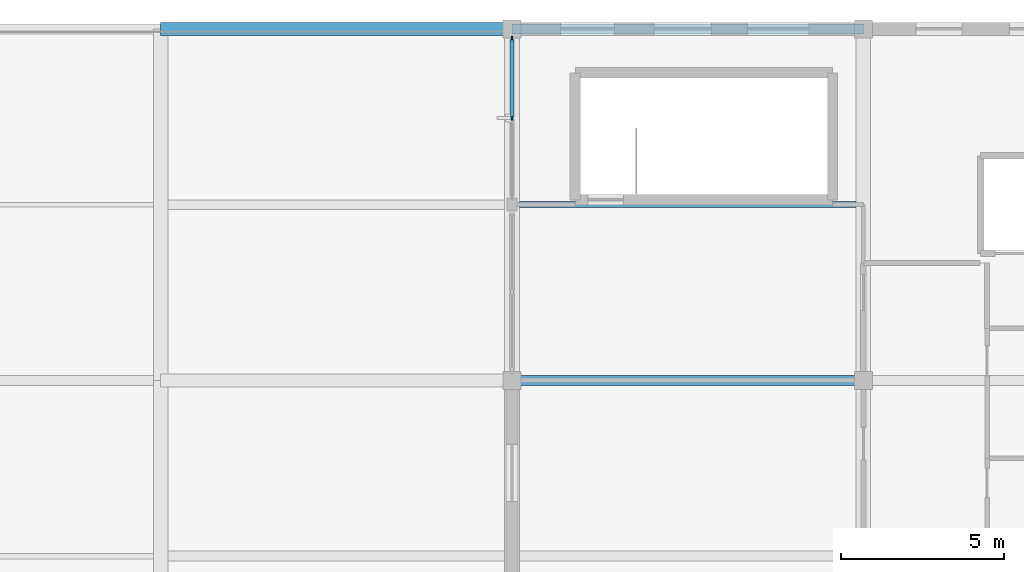
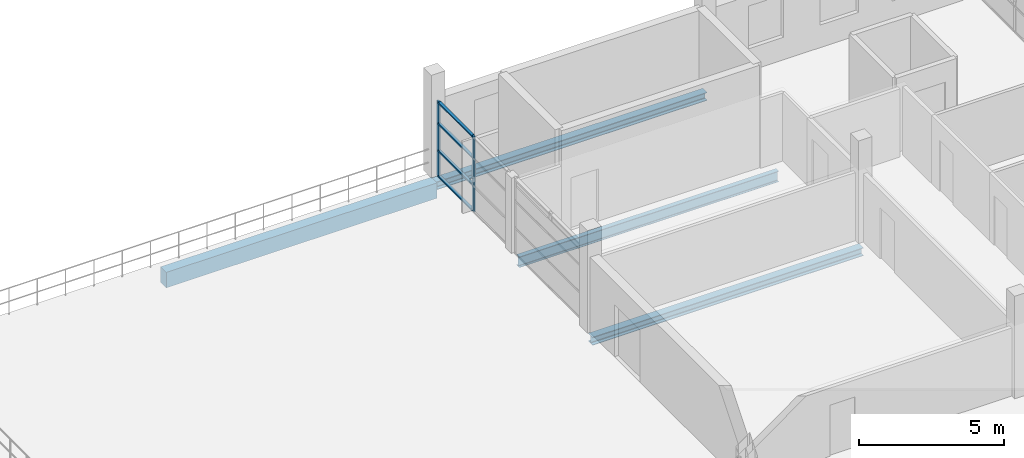
# One storey, part 8 of 15: 6 members, 4 beams, 1 element without a shape of its own.
"""IFC4 building model written with IfcOpenShell, lengths in metres."""

import ifcopenshell
import ifcopenshell.guid

model = None  # the IFC model being written
_history = None  # IfcOwnerHistory: only IFC2X3 demands one
_inside = {}  # id of a spatial element -> (the spatial element, [elements in it])
_under = {}  # id of a project, library or spatial element -> (it, [spatial elements below it])
_declared = {}  # id of a project -> (the project, [libraries it declares])
_typed = {}  # id of a type object -> (the type object, [elements of that type])
_made_of = {}  # id of a material, layer set ... -> (it, [elements and type objects made of it])


def new_model(schema):
    """Start an empty IFC model of exactly this schema.

    Asked for "IFC4X3", IfcOpenShell would pick the latest addendum, in which some entities
    have other attributes; the version numbers below select the first issue.
    IFC2X3 requires an IfcOwnerHistory on every rooted entity: one is made here for all.
    """
    global model, _history
    if schema == "IFC4X3":
        model = ifcopenshell.file(schema_version=(4, 3, 0, 0))
    else:
        model = ifcopenshell.file(schema=schema)
    _inside.clear()
    _under.clear()
    _declared.clear()
    _typed.clear()
    _made_of.clear()
    _history = None
    if model.schema == "IFC2X3":
        org = make("IfcOrganization", Name="unknown")
        user = make(
            "IfcPersonAndOrganization",
            ThePerson=make("IfcPerson", FamilyName="unknown"),
            TheOrganization=org,
        )
        app = make(
            "IfcApplication",
            ApplicationDeveloper=org,
            Version="unknown",
            ApplicationFullName="unknown",
            ApplicationIdentifier="unknown",
        )
        _history = make(
            "IfcOwnerHistory",
            OwningUser=user,
            OwningApplication=app,
            ChangeAction="ADDED",
            CreationDate=0,
        )
    return model


def make(cls, **values):
    """One entity of the class cls with the attributes given. An attribute that is None is left unset."""
    return model.create_entity(
        cls, **{name: value for name, value in values.items() if value is not None}
    )


def rooted(cls, **values):
    """An entity with a GlobalId (a new one), such as an element, a storey or a relation."""
    return make(cls, GlobalId=ifcopenshell.guid.new(), OwnerHistory=_history, **values)


def si_unit(unit_type, name, prefix=None):
    """IfcSIUnit, for example si_unit("LENGTHUNIT", "METRE", prefix="MILLI")."""
    return make("IfcSIUnit", UnitType=unit_type, Prefix=prefix, Name=name)


def assignment(units):
    """IfcUnitAssignment: the units of a project."""
    return None if units is None else make("IfcUnitAssignment", Units=units)


def point(xyz):
    """IfcCartesianPoint."""
    return None if xyz is None else make("IfcCartesianPoint", Coordinates=xyz)


def direction(xyz):
    """IfcDirection."""
    return None if xyz is None else make("IfcDirection", DirectionRatios=xyz)


def frame(location, z_axis=None, x_axis=None):
    """IfcAxis2Placement3D, a coordinate frame: its origin and axes. An axis left out is left unset."""
    return make(
        "IfcAxis2Placement3D",
        Location=point(location),
        Axis=direction(z_axis),
        RefDirection=direction(x_axis),
    )


def frame_2d(location, x_axis=None):
    """IfcAxis2Placement2D, a coordinate frame in the plane: its origin and x axis."""
    return make(
        "IfcAxis2Placement2D", Location=point(location), RefDirection=direction(x_axis)
    )


def origin():
    """The frame at (0, 0, 0) with its axes left unset."""
    return frame((0.0, 0.0, 0.0))


def origin_2d():
    """The frame at (0, 0) in the plane with its x axis left unset."""
    return frame_2d((0.0, 0.0))


def place(relative_to, where):
    """IfcLocalPlacement: puts the frame where relative to a parent placement (None: the world)."""
    return make(
        "IfcLocalPlacement", PlacementRelTo=relative_to, RelativePlacement=where
    )


def context(
    kind, dimensions, precision=None, world=None, true_north=None, identifier=None
):
    """IfcGeometricRepresentationContext, for example the 3D "Model" context."""
    return make(
        "IfcGeometricRepresentationContext",
        ContextIdentifier=identifier,
        ContextType=kind,
        CoordinateSpaceDimension=dimensions,
        Precision=precision,
        WorldCoordinateSystem=world,
        TrueNorth=true_north,
    )


def subcontext(parent, identifier, kind, view, scale=None):
    """IfcGeometricRepresentationSubContext, for example "Body" below "Model"."""
    return make(
        "IfcGeometricRepresentationSubContext",
        ContextIdentifier=identifier,
        ContextType=kind,
        ParentContext=parent,
        TargetScale=scale,
        TargetView=view,
    )


def project(units=None, contexts=None):
    """IfcProject with its units and contexts."""
    return rooted(
        "IfcProject",
        Name="project",
        RepresentationContexts=contexts,
        UnitsInContext=assignment(units),
    )


def spatial(cls, under=None, at=None, **own):
    """A site, building, storey or space (cls), placed at a placement, below another one or the project."""
    s = rooted(cls, ObjectPlacement=at, **own)
    if under is not None:
        _under.setdefault(under.id(), (under, []))[1].append(s)
    return s


def profile(cls, at=None, kind="AREA", **sizes):
    """A parametric profile (cls). Its sizes go by their IFC names, for example OverallWidth=200.0."""
    return make(cls, ProfileType=kind, Position=at, **sizes)


def rectangle(**sizes):
    """IfcRectangleProfileDef."""
    return profile("IfcRectangleProfileDef", **sizes)


def i_section(**sizes):
    """IfcIShapeProfileDef."""
    return profile("IfcIShapeProfileDef", **sizes)


def extrude(swept, where, along, depth):
    """IfcExtrudedAreaSolid: the profile swept, set in the frame where, extruded along a direction by depth."""
    return make(
        "IfcExtrudedAreaSolid",
        SweptArea=swept,
        Position=where,
        ExtrudedDirection=direction(along),
        Depth=depth,
    )


def shape(context_of_items, identifier, shape_type, items):
    """IfcShapeRepresentation: the items that make up one representation, for example the "Body"."""
    return make(
        "IfcShapeRepresentation",
        ContextOfItems=context_of_items,
        RepresentationIdentifier=identifier,
        RepresentationType=shape_type,
        Items=items,
    )


def material(Name=None, Category=None):
    """IfcMaterial."""
    return make("IfcMaterial", Name=Name, Category=Category)


def material_profile(
    of_material, cross_section, Name=None, Category=None, Priority=None
):
    """IfcMaterialProfile: a cross section and its material."""
    return make(
        "IfcMaterialProfile",
        Name=Name,
        Material=of_material,
        Profile=cross_section,
        Priority=Priority,
        Category=Category,
    )


def profile_set(profiles, Name=None, composite=None):
    """IfcMaterialProfileSet."""
    return make(
        "IfcMaterialProfileSet",
        Name=Name,
        MaterialProfiles=profiles,
        CompositeProfile=composite,
    )


def made_of(thing, what):
    """Note that an element or type object is made of a material, layer set ...; save() writes the relation."""
    if what is not None:
        _made_of.setdefault(what.id(), (what, []))[1].append(thing)
    return thing


def type_object(cls, material=None, **own):
    """A type object (cls), such as IfcWallType, which elements share."""
    return made_of(rooted(cls, **own), material)


def element(
    cls,
    number,
    at=None,
    inside=None,
    cuts=None,
    type_object=None,
    material=None,
    context=None,
    identifier="Body",
    shape_type=None,
    held_by="IfcProductDefinitionShape",
    body=None,
    shapes=None,
    **own,
):
    """One element of the class cls, such as IfcWall. Its Tag is "e" and its number.

    at: its placement. inside: the storey or other place that contains it. cuts: it is an
    opening in that element (IfcRelVoidsElement). A single representation is given by context,
    identifier, shape_type and body (its items); several are given by shapes. held_by: the class
    of the entity that holds the representations. save() writes the other relations.
    """
    e = rooted(cls, Tag="e%d" % number, ObjectPlacement=at, **own)
    if body is not None:
        shapes = [shape(context, identifier, shape_type, body)]
    if shapes is not None:
        e.Representation = make(held_by, Representations=shapes)
    if inside is not None:
        _inside.setdefault(inside.id(), (inside, []))[1].append(e)
    if cuts is not None:
        rooted(
            "IfcRelVoidsElement", RelatingBuildingElement=cuts, RelatedOpeningElement=e
        )
    if type_object is not None:
        _typed.setdefault(type_object.id(), (type_object, []))[1].append(e)
    return made_of(e, material)


def aggregate(whole, parts):
    """IfcRelAggregates: a whole, such as a stair, and the parts it consists of."""
    return rooted("IfcRelAggregates", RelatingObject=whole, RelatedObjects=parts)


def save(model, path):
    """Write the relations noted so far, then the file.

    IfcRelAggregates (storeys below a building ...), IfcRelContainedInSpatialStructure (elements
    in a storey), IfcRelDefinesByType, IfcRelAssociatesMaterial and IfcRelDeclares: one each for
    every whole, place, type object, material and project.
    """
    for whole, parts in _under.values():
        aggregate(whole, parts)
    for where, things in _inside.values():
        rooted(
            "IfcRelContainedInSpatialStructure",
            RelatedElements=things,
            RelatingStructure=where,
        )
    for kind, things in _typed.values():
        rooted("IfcRelDefinesByType", RelatedObjects=things, RelatingType=kind)
    for what, things in _made_of.values():
        rooted("IfcRelAssociatesMaterial", RelatedObjects=things, RelatingMaterial=what)
    for by, libraries in _declared.values():
        rooted("IfcRelDeclares", RelatingContext=by, RelatedDefinitions=libraries)
    model.write(path)


model = new_model("IFC4")

# Units and contexts
model_context = context("Model", 3, precision=1e-05, world=origin(), true_north=direction((0.0, 1.0)))
body_context = subcontext(model_context, "Body", "Model", "MODEL_VIEW")
ifc_project = project(units=[si_unit("LENGTHUNIT", "METRE"), si_unit("AREAUNIT", "SQUARE_METRE"), si_unit("VOLUMEUNIT", "CUBIC_METRE"), si_unit("PLANEANGLEUNIT", "RADIAN"), si_unit("MASSUNIT", "GRAM", prefix="KILO")], contexts=[model_context])

# Site, building, storey
site_placement = place(None, origin())
site = spatial("IfcSite", under=ifc_project, at=site_placement, CompositionType="ELEMENT")
building_placement = place(site_placement, origin())
building = spatial("IfcBuilding", under=site, at=building_placement, Name="Zwinboog Wholesale Market", CompositionType="ELEMENT")
storey_placement = place(building_placement, frame((0.0, 0.0, 14.760009765625)))
storey = spatial("IfcBuildingStorey", under=building, at=storey_placement, Name="L03", CompositionType="ELEMENT", Elevation=14.760009765625)

# Beams
ifc_material_1 = material(Name="Precast concrete C45/55", Category="concrete")
ifc_material_profile_1 = material_profile(ifc_material_1, rectangle(XDim=0.39990234375, YDim=0.64990234375, at=origin_2d()), Name="PC 400x650")
ifc_profile_set_1 = profile_set([ifc_material_profile_1], Name="Precast concrete C45/55")
beam_type_1 = type_object("IfcBeamType", Name="BT-05", PredefinedType="BEAM", material=ifc_profile_set_1)
beam_1_placement = place(storey_placement, frame((140.39990234375, 43.199951171875, -0.673095703125), z_axis=(1.0, 0.0, 0.0), x_axis=(0.0, 1.0, 0.0)))
element("IfcBeam", 1, at=beam_1_placement, inside=storey, type_object=beam_type_1, Name="BG-05 (BM-TER-L03-0212)", PredefinedType="BEAM", context=body_context, shape_type="SweptSolid", body=[
    extrude(rectangle(XDim=0.39990234375, YDim=0.64990234375, at=origin_2d()), origin(), (0.0, 0.0, 1.0), 10.800048828125),
])
ifc_material_2 = material(Name="Steel S355", Category="steel")
ifc_material_profile_2 = material_profile(ifc_material_2, i_section(OverallWidth=0.300048828125, OverallDepth=0.340087890625, WebThickness=0.011962890625, FlangeThickness=0.021484375, FilletRadius=0.027099609375, at=origin_2d()), Name="HEB 340")
ifc_profile_set_2 = profile_set([ifc_material_profile_2], Name="Steel S355")
beam_type_2 = type_object("IfcBeamType", Name="BT-16", PredefinedType="BEAM", material=ifc_profile_set_2)
for number, where, z_axis, x_axis, name in (
    (2, (151.199951171875, 32.39990234375, -0.51806640625), (1.0, 0.0, 0.0), (0.0, 1.0, 0.0), "SB-03 (BMG-L03-1512-0324-1021)"),
    (3, (151.199951171875, 43.199951171875, -0.51806640625), (1.0, 0.0, 0.0), (0.0, 1.0, 0.0), "SB-03 (BMG-L03-1512-0432-1023)"),
):
    element("IfcBeam", number, at=place(storey_placement, frame(where, z_axis=z_axis, x_axis=x_axis)), inside=storey, type_object=beam_type_2, Name=name, PredefinedType="BEAM", context=body_context, shape_type="SweptSolid", body=[
        extrude(i_section(OverallWidth=0.300048828125, OverallDepth=0.340087890625, WebThickness=0.011962890625, FlangeThickness=0.021484375, FilletRadius=0.027099609375, at=origin_2d()), origin(), (0.0, 0.0, 1.0), 10.800048828125),
    ])
ifc_material_profile_3 = material_profile(ifc_material_2, i_section(OverallWidth=0.18994140625, OverallDepth=0.449951171875, WebThickness=0.009521484375, FlangeThickness=0.0146484375, FilletRadius=0.02099609375, at=origin_2d()), Name="IPE 450")
ifc_profile_set_3 = profile_set([ifc_material_profile_3], Name="Steel S355")
beam_type_3 = type_object("IfcBeamType", Name="BT-19", PredefinedType="JOIST", material=ifc_profile_set_3)
beam_2_placement = place(storey_placement, frame((151.425048828125, 37.800048828125, -0.572998046875), z_axis=(1.0, 0.0, 0.0), x_axis=(0.0, 1.0, 0.0)))
element("IfcBeam", 4, at=beam_2_placement, inside=storey, type_object=beam_type_3, Name="SJ-02 (BMG-L03-1514-0378-1049)", PredefinedType="JOIST", context=body_context, shape_type="SweptSolid", body=[
    extrude(i_section(OverallWidth=0.18994140625, OverallDepth=0.449951171875, WebThickness=0.009521484375, FlangeThickness=0.0146484375, FilletRadius=0.02099609375, at=origin_2d()), origin(), (0.0, 0.0, 1.0), 10.349853515625),
])

# Curtain wall, members
ifc_material_3 = material(Name="Aluminium thermally broken curtain wall", Category="aluminium")
curtain_wall_type = type_object("IfcCurtainWallType", Name="CWT-OFF-15", PredefinedType="USERDEFINED", material=ifc_material_3)
curtain_wall_placement = place(storey_placement, origin())
curtain_wall = element("IfcCurtainWall", 5, at=curtain_wall_placement, inside=storey, type_object=curtain_wall_type, Name="CW-06 (CW-L03-174)", ObjectType="UNITIZED_CURTAIN_WALL", PredefinedType="USERDEFINED")
ifc_material_4 = material(Name="Aluminium EN AW-6060", Category="aluminium")
ifc_material_profile_4 = material_profile(ifc_material_4, rectangle(XDim=0.06005859375, YDim=0.14990234375, at=origin_2d()), Name="AL 60x150")
ifc_profile_set_4 = profile_set([ifc_material_profile_4], Name="Aluminium EN AW-6060")
member_type_1 = type_object("IfcMemberType", Name="CWM-60x150", PredefinedType="MULLION", material=ifc_profile_set_4)
member_1_placement = place(storey_placement, frame((151.199951171875, 40.465087890625, 0.0), z_axis=(0.0, 0.0, 1.0), x_axis=(-1.0, 0.0, 0.0)))
member_1 = element("IfcMember", 6, at=member_1_placement, type_object=member_type_1, Name="CW-06 mullion 2", PredefinedType="MULLION", context=body_context, shape_type="SweptSolid", body=[
    extrude(rectangle(XDim=0.06005859375, YDim=0.14990234375, at=origin_2d()), origin(), (0.0, 0.0, 1.0), 3.169921875),
])
member_2_placement = place(storey_placement, frame((151.199951171875, 42.89990234375, 0.0), z_axis=(0.0, 0.0, 1.0), x_axis=(-1.0, 0.0, 0.0)))
member_2 = element("IfcMember", 7, at=member_2_placement, type_object=member_type_1, Name="CW-06 mullion 3", PredefinedType="MULLION", context=body_context, shape_type="SweptSolid", body=[
    extrude(rectangle(XDim=0.06005859375, YDim=0.14990234375, at=origin_2d()), origin(), (0.0, 0.0, 1.0), 3.169921875),
])
ifc_material_profile_5 = material_profile(ifc_material_4, rectangle(XDim=0.110107421875, YDim=0.06005859375, at=origin_2d()), Name="AL 60x110")
ifc_profile_set_5 = profile_set([ifc_material_profile_5], Name="Aluminium EN AW-6060")
member_type_2 = type_object("IfcMemberType", Name="CWT-60x110", PredefinedType="USERDEFINED", material=ifc_profile_set_5)
member_3_placement = place(storey_placement, frame((151.199951171875, 40.4951171875, 0.030029296875), z_axis=(0.0, 1.0, 0.0), x_axis=(-1.0, 0.0, 0.0)))
member_3 = element("IfcMember", 8, at=member_3_placement, type_object=member_type_2, Name="CW-06 transom 2.1", ObjectType="TRANSOM", PredefinedType="USERDEFINED", context=body_context, shape_type="SweptSolid", body=[
    extrude(rectangle(XDim=0.110107421875, YDim=0.06005859375, at=origin_2d()), origin(), (0.0, 0.0, 1.0), 2.375),
])
member_4_placement = place(storey_placement, frame((151.199951171875, 40.4951171875, 1.10009765625), z_axis=(0.0, 1.0, 0.0), x_axis=(-1.0, 0.0, 0.0)))
member_4 = element("IfcMember", 9, at=member_4_placement, type_object=member_type_2, Name="CW-06 transom 2.2", ObjectType="TRANSOM", PredefinedType="USERDEFINED", context=body_context, shape_type="SweptSolid", body=[
    extrude(rectangle(XDim=0.110107421875, YDim=0.06005859375, at=origin_2d()), origin(), (0.0, 0.0, 1.0), 2.375),
])
member_5_placement = place(storey_placement, frame((151.199951171875, 40.4951171875, 2.25), z_axis=(0.0, 1.0, 0.0), x_axis=(-1.0, 0.0, 0.0)))
member_5 = element("IfcMember", 10, at=member_5_placement, type_object=member_type_2, Name="CW-06 transom 2.3", ObjectType="TRANSOM", PredefinedType="USERDEFINED", context=body_context, shape_type="SweptSolid", body=[
    extrude(rectangle(XDim=0.110107421875, YDim=0.06005859375, at=origin_2d()), origin(), (0.0, 0.0, 1.0), 2.375),
])
member_6_placement = place(storey_placement, frame((151.199951171875, 40.4951171875, 3.139892578125), z_axis=(0.0, 1.0, 0.0), x_axis=(-1.0, 0.0, 0.0)))
member_6 = element("IfcMember", 11, at=member_6_placement, type_object=member_type_2, Name="CW-06 transom 2.4", ObjectType="TRANSOM", PredefinedType="USERDEFINED", context=body_context, shape_type="SweptSolid", body=[
    extrude(rectangle(XDim=0.110107421875, YDim=0.06005859375, at=origin_2d()), origin(), (0.0, 0.0, 1.0), 2.375),
])
aggregate(curtain_wall, [member_1, member_2, member_3, member_4, member_5, member_6])

save(model, "model.ifc")
